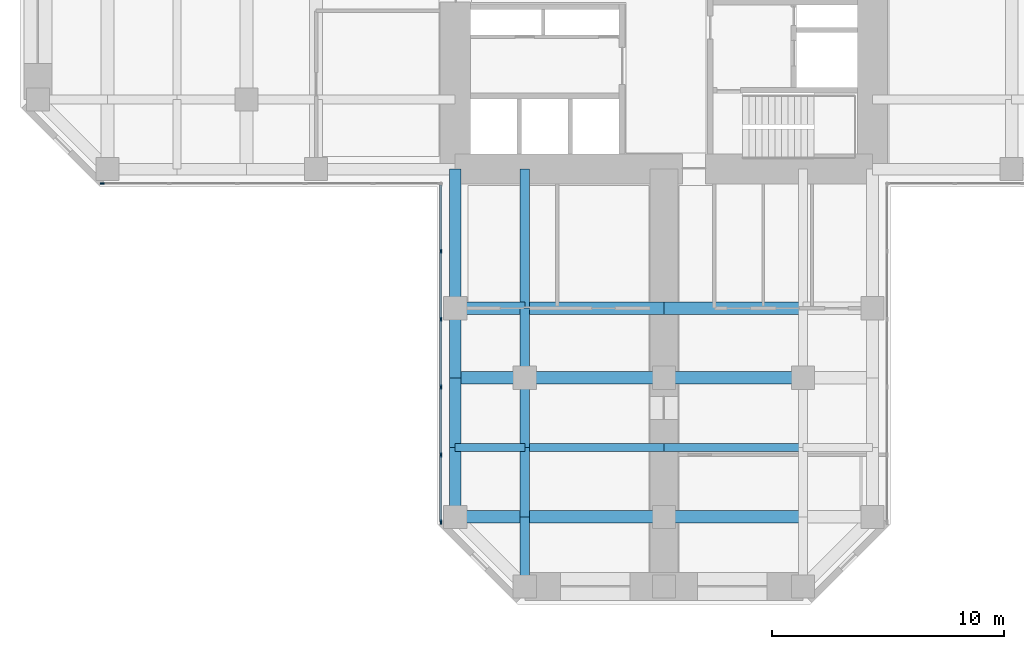
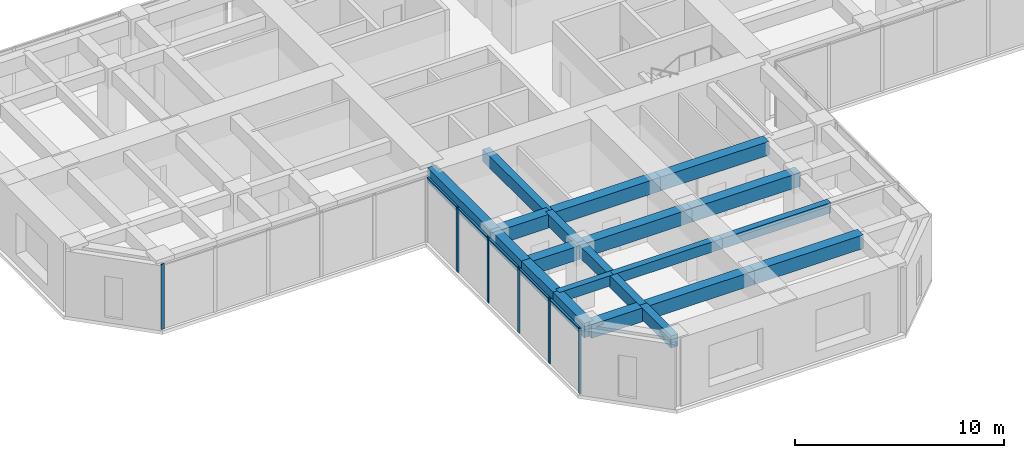
# One storey, part 2 of 12: 21 beams, 11 members, 2 elements without a shape of their own.
"""IFC4 building model written with IfcOpenShell, lengths in metres."""

from ifc_helpers import new_model, si_unit, direction, frame, origin, origin_2d, place, context, subcontext, project, spatial, rectangle, extrude, material, material_profile, profile_set, type_object, element, aggregate, save


model = new_model("IFC4")

# Units and contexts
model_context = context("Model", 3, precision=1e-05, world=origin(), true_north=direction((0.0, 1.0)))
body_context = subcontext(model_context, "Body", "Model", "MODEL_VIEW")
ifc_project = project(units=[si_unit("LENGTHUNIT", "METRE"), si_unit("AREAUNIT", "SQUARE_METRE"), si_unit("VOLUMEUNIT", "CUBIC_METRE"), si_unit("PLANEANGLEUNIT", "RADIAN"), si_unit("MASSUNIT", "GRAM", prefix="KILO")], contexts=[model_context])

# Site, building, storey
site_placement = place(None, origin())
site = spatial("IfcSite", under=ifc_project, at=site_placement, CompositionType="ELEMENT")
building_placement = place(site_placement, origin())
building = spatial("IfcBuilding", under=site, at=building_placement, Name="Torre Cruceta", CompositionType="ELEMENT")
storey_placement = place(building_placement, frame((0.0, 0.0, 116.5)))
storey = spatial("IfcBuildingStorey", under=building, at=storey_placement, Name="L28", CompositionType="ELEMENT", Elevation=116.5)

# Beams
ifc_material_1 = material(Name="Concrete G60 (fck 60 MPa)", Category="concrete")
ifc_material_profile_1 = material_profile(ifc_material_1, rectangle(XDim=0.39990234375, YDim=0.699951171875, at=origin_2d()), Name="RC 400X700")
ifc_profile_set_1 = profile_set([ifc_material_profile_1], Name="Concrete G60 (fck 60 MPa)")
beam_type_1 = type_object("IfcBeamType", Name="COLUMN LINE BEAM RC 400X700", PredefinedType="BEAM", material=ifc_profile_set_1)
beam_1_placement = place(storey_placement, frame((-6.0, -9.0, 3.449951171875), z_axis=(0.0, -1.0, 0.0), x_axis=(1.0, 0.0, 0.0)))
element("IfcBeam", 1, at=beam_1_placement, inside=storey, type_object=beam_type_1, Name="LB5 L28 S col- 1", PredefinedType="BEAM", context=body_context, shape_type="SweptSolid", body=[
    extrude(rectangle(XDim=0.39990234375, YDim=0.699951171875, at=origin_2d()), origin(), (0.0, 0.0, 1.0), 6.0),
])
for number, where, z_axis, x_axis, name in (
    (2, (-6.0, -15.0, 3.449951171875), (0.0, -1.0, 0.0), (1.0, 0.0, 0.0), "LB5 L28 S col- 2"),
    (3, (-6.0, -18.0, 3.449951171875), (0.0, -1.0, 0.0), (1.0, 0.0, 0.0), "LB5 L28 S col- 3"),
    (4, (-6.0, -21.0, 3.449951171875), (0.0, -1.0, 0.0), (1.0, 0.0, 0.0), "LB5 L28 S col- 4"),
    (5, (-6.0, -24.0, 3.449951171875), (0.0, -1.0, 0.0), (1.0, 0.0, 0.0), "LB5 L28 S col- 5"),
):
    element("IfcBeam", number, at=place(storey_placement, frame(where, z_axis=z_axis, x_axis=x_axis)), inside=storey, type_object=beam_type_1, Name=name, PredefinedType="BEAM", context=body_context, shape_type="SweptSolid", body=[
        extrude(rectangle(XDim=0.39990234375, YDim=0.699951171875, at=origin_2d()), origin(), (0.0, 0.0, 1.0), 3.0),
    ])
ifc_material_2 = material(Name="Concrete G60 (fck 60 MPa)", Category="concrete")
ifc_material_profile_2 = material_profile(ifc_material_2, rectangle(XDim=0.550048828125, YDim=0.800048828125, at=origin_2d()), Name="RC 550X800")
ifc_profile_set_2 = profile_set([ifc_material_profile_2], Name="Concrete G60 (fck 60 MPa)")
beam_type_2 = type_object("IfcBeamType", Name="CROSS BEAM RC 550X800", PredefinedType="BEAM", material=ifc_profile_set_2)
beam_2_placement = place(storey_placement, frame((-9.0, -15.0, 3.39990234375), z_axis=(1.0, 0.0, 0.0), x_axis=(0.0, 1.0, 0.0)))
element("IfcBeam", 6, at=beam_2_placement, inside=storey, type_object=beam_type_2, Name="GB5 L28 S cross15 1", PredefinedType="BEAM", context=body_context, shape_type="SweptSolid", body=[
    extrude(rectangle(XDim=0.550048828125, YDim=0.800048828125, at=origin_2d()), origin(), (0.0, 0.0, 1.0), 3.0),
])
for number, where, z_axis, x_axis, name in (
    (7, (-6.0, -15.0, 3.39990234375), (1.0, 0.0, 0.0), (0.0, 1.0, 0.0), "GB5 L28 S cross15 2"),
    (8, (0.0, -15.0, 3.39990234375), (1.0, 0.0, 0.0), (0.0, 1.0, 0.0), "GB5 L28 S cross15 3"),
):
    element("IfcBeam", number, at=place(storey_placement, frame(where, z_axis=z_axis, x_axis=x_axis)), inside=storey, type_object=beam_type_2, Name=name, PredefinedType="BEAM", context=body_context, shape_type="SweptSolid", body=[
        extrude(rectangle(XDim=0.550048828125, YDim=0.800048828125, at=origin_2d()), origin(), (0.0, 0.0, 1.0), 6.0),
    ])
beam_3_placement = place(storey_placement, frame((-9.0, -18.0, 3.39990234375), z_axis=(1.0, 0.0, 0.0), x_axis=(0.0, 1.0, 0.0)))
element("IfcBeam", 9, at=beam_3_placement, inside=storey, type_object=beam_type_2, Name="GB5 L28 S cross18 1", PredefinedType="BEAM", context=body_context, shape_type="SweptSolid", body=[
    extrude(rectangle(XDim=0.550048828125, YDim=0.800048828125, at=origin_2d()), origin(), (0.0, 0.0, 1.0), 3.0),
])
for number, where, z_axis, x_axis, name in (
    (10, (-6.0, -18.0, 3.39990234375), (1.0, 0.0, 0.0), (0.0, 1.0, 0.0), "GB5 L28 S cross18 2"),
    (11, (0.0, -18.0, 3.39990234375), (1.0, 0.0, 0.0), (0.0, 1.0, 0.0), "GB5 L28 S cross18 3"),
):
    element("IfcBeam", number, at=place(storey_placement, frame(where, z_axis=z_axis, x_axis=x_axis)), inside=storey, type_object=beam_type_2, Name=name, PredefinedType="BEAM", context=body_context, shape_type="SweptSolid", body=[
        extrude(rectangle(XDim=0.550048828125, YDim=0.800048828125, at=origin_2d()), origin(), (0.0, 0.0, 1.0), 6.0),
    ])
beam_4_placement = place(storey_placement, frame((-9.0, -24.0, 3.39990234375), z_axis=(1.0, 0.0, 0.0), x_axis=(0.0, 1.0, 0.0)))
element("IfcBeam", 12, at=beam_4_placement, inside=storey, type_object=beam_type_2, Name="GB5 L28 S cross24 1", PredefinedType="BEAM", context=body_context, shape_type="SweptSolid", body=[
    extrude(rectangle(XDim=0.550048828125, YDim=0.800048828125, at=origin_2d()), origin(), (0.0, 0.0, 1.0), 3.0),
])
for number, where, z_axis, x_axis, name in (
    (13, (-6.0, -24.0, 3.39990234375), (1.0, 0.0, 0.0), (0.0, 1.0, 0.0), "GB5 L28 S cross24 2"),
    (14, (0.0, -24.0, 3.39990234375), (1.0, 0.0, 0.0), (0.0, 1.0, 0.0), "GB5 L28 S cross24 3"),
):
    element("IfcBeam", number, at=place(storey_placement, frame(where, z_axis=z_axis, x_axis=x_axis)), inside=storey, type_object=beam_type_2, Name=name, PredefinedType="BEAM", context=body_context, shape_type="SweptSolid", body=[
        extrude(rectangle(XDim=0.550048828125, YDim=0.800048828125, at=origin_2d()), origin(), (0.0, 0.0, 1.0), 6.0),
    ])

# Curtain wall, member
ifc_material_3 = material(Name="Aluminium unitised curtain wall", Category="aluminium")
curtain_wall_type = type_object("IfcCurtainWallType", Name="CURTAIN WALL CW-B OFFICE MID RISE", PredefinedType="USERDEFINED", material=ifc_material_3)
curtain_wall_1_placement = place(storey_placement, origin())
curtain_wall_1 = element("IfcCurtainWall", 15, at=curtain_wall_1_placement, inside=storey, type_object=curtain_wall_type, Name="CW-B L28 W side 14", ObjectType="UNITISED", PredefinedType="USERDEFINED")
ifc_material_4 = material(Name="Aluminium mullion", Category="aluminium")
ifc_material_profile_3 = material_profile(ifc_material_4, rectangle(XDim=0.06494140625, YDim=0.179931640625, at=origin_2d()), Name="AL 65X180")
ifc_profile_set_3 = profile_set([ifc_material_profile_3], Name="Aluminium mullion")
member_type_1 = type_object("IfcMemberType", Name="CW-B MULLION 65X180", PredefinedType="MULLION", material=ifc_profile_set_3)
member_1_placement = place(storey_placement, frame((-24.224365234375, -9.6201171875, 0.0), z_axis=(0.0, 0.0, 1.0), x_axis=(0.0, 1.0, 0.0)))
member_1 = element("IfcMember", 16, at=member_1_placement, type_object=member_type_1, Name="CW-B mullion 1", PredefinedType="MULLION", context=body_context, shape_type="SweptSolid", body=[
    extrude(rectangle(XDim=0.06494140625, YDim=0.179931640625, at=origin_2d()), origin(), (0.0, 0.0, 1.0), 3.800048828125),
])
aggregate(curtain_wall_1, [member_1])

# Curtain wall, members
curtain_wall_2_placement = place(storey_placement, origin())
curtain_wall_2 = element("IfcCurtainWall", 17, at=curtain_wall_2_placement, inside=storey, type_object=curtain_wall_type, Name="CW-B L28 S side 15", ObjectType="UNITISED", PredefinedType="USERDEFINED")
member_2_placement = place(storey_placement, frame((-9.6201171875, -12.54736328125, 0.0), z_axis=(0.0, 0.0, 1.0), x_axis=(1.0, 0.0, 0.0)))
member_2 = element("IfcMember", 18, at=member_2_placement, type_object=member_type_1, Name="CW-B mullion 2", PredefinedType="MULLION", context=body_context, shape_type="SweptSolid", body=[
    extrude(rectangle(XDim=0.06494140625, YDim=0.179931640625, at=origin_2d()), origin(), (0.0, 0.0, 1.0), 3.800048828125),
])
member_3_placement = place(storey_placement, frame((-9.6201171875, -15.474609375, 0.0), z_axis=(0.0, 0.0, 1.0), x_axis=(1.0, 0.0, 0.0)))
member_3 = element("IfcMember", 19, at=member_3_placement, type_object=member_type_1, Name="CW-B mullion 3", PredefinedType="MULLION", context=body_context, shape_type="SweptSolid", body=[
    extrude(rectangle(XDim=0.06494140625, YDim=0.179931640625, at=origin_2d()), origin(), (0.0, 0.0, 1.0), 3.800048828125),
])
member_4_placement = place(storey_placement, frame((-9.6201171875, -18.402099609375, 0.0), z_axis=(0.0, 0.0, 1.0), x_axis=(1.0, 0.0, 0.0)))
member_4 = element("IfcMember", 20, at=member_4_placement, type_object=member_type_1, Name="CW-B mullion 4", PredefinedType="MULLION", context=body_context, shape_type="SweptSolid", body=[
    extrude(rectangle(XDim=0.06494140625, YDim=0.179931640625, at=origin_2d()), origin(), (0.0, 0.0, 1.0), 3.800048828125),
])
member_5_placement = place(storey_placement, frame((-9.6201171875, -21.329345703125, 0.0), z_axis=(0.0, 0.0, 1.0), x_axis=(1.0, 0.0, 0.0)))
member_5 = element("IfcMember", 21, at=member_5_placement, type_object=member_type_1, Name="CW-B mullion 5", PredefinedType="MULLION", context=body_context, shape_type="SweptSolid", body=[
    extrude(rectangle(XDim=0.06494140625, YDim=0.179931640625, at=origin_2d()), origin(), (0.0, 0.0, 1.0), 3.800048828125),
])
member_6_placement = place(storey_placement, frame((-9.6201171875, -24.224365234375, 0.0), z_axis=(0.0, 0.0, 1.0), x_axis=(1.0, 0.0, 0.0)))
member_6 = element("IfcMember", 22, at=member_6_placement, type_object=member_type_1, Name="CW-B mullion 6", PredefinedType="MULLION", context=body_context, shape_type="SweptSolid", body=[
    extrude(rectangle(XDim=0.06494140625, YDim=0.179931640625, at=origin_2d()), origin(), (0.0, 0.0, 1.0), 3.800048828125),
])
ifc_material_5 = material(Name="Aluminium transom", Category="aluminium")
ifc_material_profile_4 = material_profile(ifc_material_5, rectangle(XDim=0.110107421875, YDim=0.06494140625, at=origin_2d()), Name="AL 110X65")
ifc_profile_set_4 = profile_set([ifc_material_profile_4], Name="Aluminium transom")
member_type_2 = type_object("IfcMemberType", Name="CW-B TRANSOM 65X110", PredefinedType="USERDEFINED", material=ifc_profile_set_4)
member_7_placement = place(storey_placement, frame((-9.6201171875, -9.68505859375, 3.767578125), z_axis=(0.0, -1.0, 0.0), x_axis=(1.0, 0.0, 0.0)))
member_7 = element("IfcMember", 23, at=member_7_placement, type_object=member_type_2, Name="CW-B transom 1", ObjectType="TRANSOM", PredefinedType="USERDEFINED", context=body_context, shape_type="SweptSolid", body=[
    extrude(rectangle(XDim=0.110107421875, YDim=0.06494140625, at=origin_2d()), origin(), (0.0, 0.0, 1.0), 2.829833984375),
])
member_8_placement = place(storey_placement, frame((-9.6201171875, -12.579833984375, 3.767578125), z_axis=(0.0, -1.0, 0.0), x_axis=(1.0, 0.0, 0.0)))
member_8 = element("IfcMember", 24, at=member_8_placement, type_object=member_type_2, Name="CW-B transom 2", ObjectType="TRANSOM", PredefinedType="USERDEFINED", context=body_context, shape_type="SweptSolid", body=[
    extrude(rectangle(XDim=0.110107421875, YDim=0.06494140625, at=origin_2d()), origin(), (0.0, 0.0, 1.0), 2.8623046875),
])
member_9_placement = place(storey_placement, frame((-9.6201171875, -15.50732421875, 3.767578125), z_axis=(0.0, -1.0, 0.0), x_axis=(1.0, 0.0, 0.0)))
member_9 = element("IfcMember", 25, at=member_9_placement, type_object=member_type_2, Name="CW-B transom 3", ObjectType="TRANSOM", PredefinedType="USERDEFINED", context=body_context, shape_type="SweptSolid", body=[
    extrude(rectangle(XDim=0.110107421875, YDim=0.06494140625, at=origin_2d()), origin(), (0.0, 0.0, 1.0), 2.8623046875),
])
member_10_placement = place(storey_placement, frame((-9.6201171875, -18.4345703125, 3.767578125), z_axis=(0.0, -1.0, 0.0), x_axis=(1.0, 0.0, 0.0)))
member_10 = element("IfcMember", 26, at=member_10_placement, type_object=member_type_2, Name="CW-B transom 4", ObjectType="TRANSOM", PredefinedType="USERDEFINED", context=body_context, shape_type="SweptSolid", body=[
    extrude(rectangle(XDim=0.110107421875, YDim=0.06494140625, at=origin_2d()), origin(), (0.0, 0.0, 1.0), 2.8623046875),
])
member_11_placement = place(storey_placement, frame((-9.6201171875, -21.362060546875, 3.767578125), z_axis=(0.0, -1.0, 0.0), x_axis=(1.0, 0.0, 0.0)))
member_11 = element("IfcMember", 27, at=member_11_placement, type_object=member_type_2, Name="CW-B transom 5", ObjectType="TRANSOM", PredefinedType="USERDEFINED", context=body_context, shape_type="SweptSolid", body=[
    extrude(rectangle(XDim=0.110107421875, YDim=0.06494140625, at=origin_2d()), origin(), (0.0, 0.0, 1.0), 2.829833984375),
])
aggregate(curtain_wall_2, [member_2, member_3, member_4, member_5, member_6, member_7, member_8, member_9, member_10, member_11])

# Beams
ifc_material_6 = material(Name="Concrete G60 (fck 60 MPa)", Category="concrete")
ifc_material_profile_5 = material_profile(ifc_material_6, rectangle(XDim=0.35009765625, YDim=0.60009765625, at=origin_2d()), Name="RC 350X600")
ifc_profile_set_5 = profile_set([ifc_material_profile_5], Name="Concrete G60 (fck 60 MPa)")
beam_type_3 = type_object("IfcBeamType", Name="SECONDARY BEAM RC 350X600", PredefinedType="JOIST", material=ifc_profile_set_5)
beam_5_placement = place(storey_placement, frame((-9.0, -21.0, 3.5), z_axis=(1.0, 0.0, 0.0), x_axis=(0.0, 1.0, 0.0)))
element("IfcBeam", 28, at=beam_5_placement, inside=storey, type_object=beam_type_3, Name="JB5 L28 S sec21 1", PredefinedType="JOIST", context=body_context, shape_type="SweptSolid", body=[
    extrude(rectangle(XDim=0.35009765625, YDim=0.60009765625, at=origin_2d()), origin(), (0.0, 0.0, 1.0), 3.0),
])
for number, where, z_axis, x_axis, name in (
    (29, (-6.0, -21.0, 3.5), (1.0, 0.0, 0.0), (0.0, 1.0, 0.0), "JB5 L28 S sec21 2"),
    (30, (0.0, -21.0, 3.5), (1.0, 0.0, 0.0), (0.0, 1.0, 0.0), "JB5 L28 S sec21 3"),
):
    element("IfcBeam", number, at=place(storey_placement, frame(where, z_axis=z_axis, x_axis=x_axis)), inside=storey, type_object=beam_type_3, Name=name, PredefinedType="JOIST", context=body_context, shape_type="SweptSolid", body=[
        extrude(rectangle(XDim=0.35009765625, YDim=0.60009765625, at=origin_2d()), origin(), (0.0, 0.0, 1.0), 6.0),
    ])
ifc_material_7 = material(Name="Concrete G60 (fck 60 MPa)", Category="concrete")
ifc_material_profile_6 = material_profile(ifc_material_7, rectangle(XDim=0.5, YDim=0.85009765625, at=origin_2d()), Name="RC 500X850")
ifc_profile_set_6 = profile_set([ifc_material_profile_6], Name="Concrete G60 (fck 60 MPa)")
beam_type_4 = type_object("IfcBeamType", Name="SPANDREL BEAM RC 500X850", PredefinedType="SPANDREL", material=ifc_profile_set_6)
beam_6_placement = place(storey_placement, frame((-9.0, -9.0, 3.375), z_axis=(0.0, -1.0, 0.0), x_axis=(1.0, 0.0, 0.0)))
element("IfcBeam", 31, at=beam_6_placement, inside=storey, type_object=beam_type_4, Name="SB5 L28 S side- 1", PredefinedType="SPANDREL", context=body_context, shape_type="SweptSolid", body=[
    extrude(rectangle(XDim=0.5, YDim=0.85009765625, at=origin_2d()), origin(), (0.0, 0.0, 1.0), 6.0),
])
for number, where, z_axis, x_axis, name in (
    (32, (-9.0, -15.0, 3.375), (0.0, -1.0, 0.0), (1.0, 0.0, 0.0), "SB5 L28 S side- 2"),
    (33, (-9.0, -18.0, 3.375), (0.0, -1.0, 0.0), (1.0, 0.0, 0.0), "SB5 L28 S side- 3"),
    (34, (-9.0, -21.0, 3.375), (0.0, -1.0, 0.0), (1.0, 0.0, 0.0), "SB5 L28 S side- 4"),
):
    element("IfcBeam", number, at=place(storey_placement, frame(where, z_axis=z_axis, x_axis=x_axis)), inside=storey, type_object=beam_type_4, Name=name, PredefinedType="SPANDREL", context=body_context, shape_type="SweptSolid", body=[
        extrude(rectangle(XDim=0.5, YDim=0.85009765625, at=origin_2d()), origin(), (0.0, 0.0, 1.0), 3.0),
    ])

save(model, "model.ifc")
